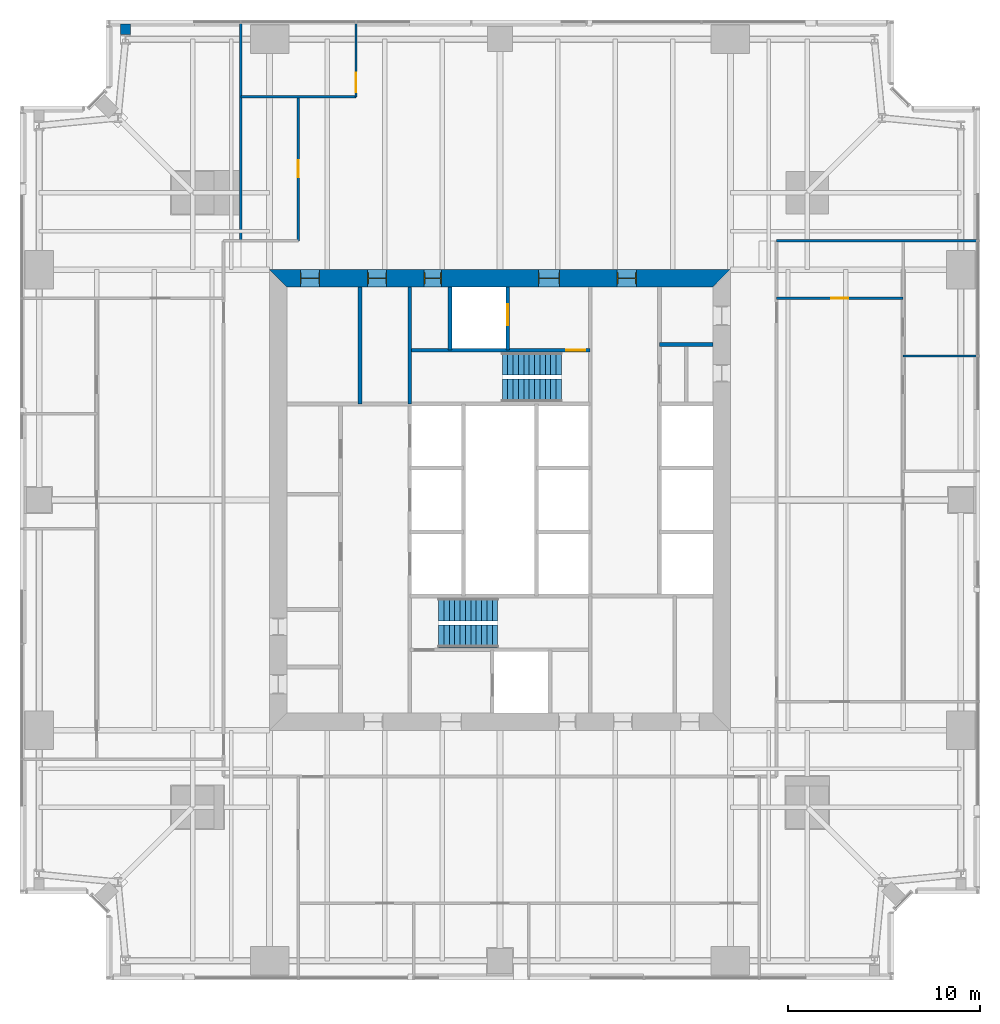
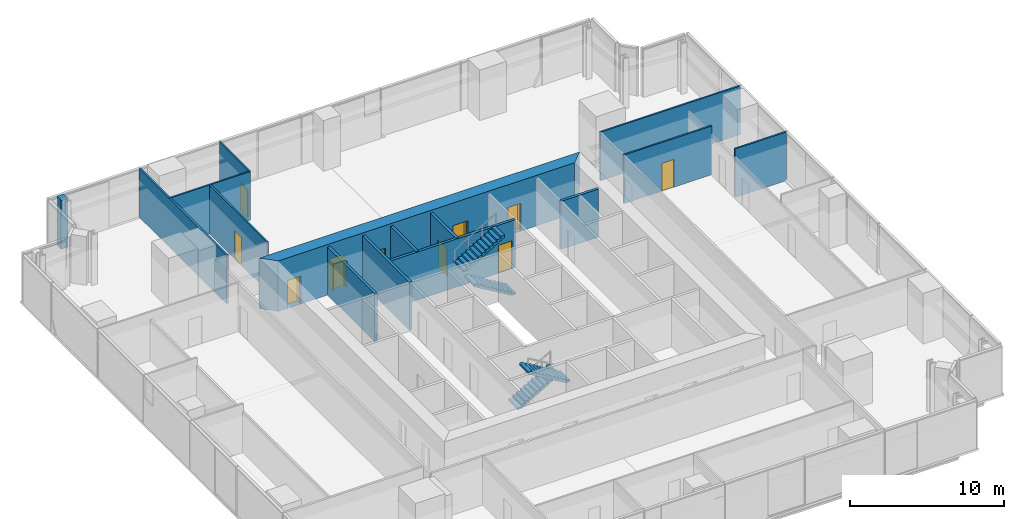
# One storey, part 11 of 13: 15 walls, 10 doors, 4 stair flights, 10 openings, 2 elements without a shape of their own.
"""IFC4 building model written with IfcOpenShell, lengths in metres."""

from ifc_helpers import new_model, si_unit, direction, frame, frame_2d, origin, place, context, subcontext, project, spatial, polyline, rectangle, outline, extrude, material, layer, layer_set, type_object, element, fill, aggregate, save


model = new_model("IFC4")

# Units and contexts
model_context = context("Model", 3, precision=1e-05, world=origin(), true_north=direction((0.0, 1.0)))
body_context = subcontext(model_context, "Body", "Model", "MODEL_VIEW")
ifc_project = project(units=[si_unit("LENGTHUNIT", "METRE"), si_unit("AREAUNIT", "SQUARE_METRE"), si_unit("VOLUMEUNIT", "CUBIC_METRE"), si_unit("PLANEANGLEUNIT", "RADIAN"), si_unit("MASSUNIT", "GRAM", prefix="KILO")], contexts=[model_context])

# Site, building, storey
site_placement = place(None, origin())
site = spatial("IfcSite", under=ifc_project, at=site_placement, CompositionType="ELEMENT")
building_placement = place(site_placement, origin())
building = spatial("IfcBuilding", under=site, at=building_placement, Name="Fenwick Lantern Interchange", CompositionType="ELEMENT")
storey_placement = place(building_placement, frame((0.0, 0.0, 142.39990234375)))
storey = spatial("IfcBuildingStorey", under=building, at=storey_placement, Name="L33", CompositionType="ELEMENT", Elevation=142.39990234375)

# Wall
ifc_material_1 = material(Name="Fire-rated gypsum board encasement on steel studs, 2 hour", Category="steel")
ifc_layer_1 = layer(ifc_material_1, 0.52392578125)
ifc_layer_set_1 = layer_set([ifc_layer_1], Name="COLUMN PIER 524")
wall_type_1 = type_object("IfcWallType", Name="COLUMN PIER 524", PredefinedType="PARTITIONING", material=ifc_layer_set_1)
wall_1_placement = place(storey_placement, frame((5.5, 49.800048828125, 0.0), z_axis=(0.0, 0.0, 1.0), x_axis=(0.0, -1.0, 0.0)))
element("IfcWall", 1, at=wall_1_placement, inside=storey, type_object=wall_type_1, Name="L33/W/PIER/CN5", PredefinedType="PARTITIONING", context=body_context, shape_type="SweptSolid", body=[
    extrude(rectangle(XDim=0.5625, YDim=0.52392578125, at=frame_2d((0.28125, 0.0))), origin(), (0.0, 0.0, 1.0), 3.85009765625),
])

# Wall, opening, door
ifc_material_2 = material(Name="Concrete masonry ASTM C90 Grade N", Category="masonry")
ifc_layer_2 = layer(ifc_material_2, 0.199951171875)
ifc_layer_set_2 = layer_set([ifc_layer_2], Name="Concrete masonry ASTM C90 Grade N")
wall_type_2 = type_object("IfcWallType", Name="CORE PARTITION 200", PredefinedType="PARTITIONING", material=ifc_layer_set_2)
wall_2_placement = place(storey_placement, frame((25.39990234375, 36.10009765625, 0.0), z_axis=(0.0, 0.0, 1.0), x_axis=(0.0, -1.0, 0.0)))
wall_2 = element("IfcWall", 2, at=wall_2_placement, inside=storey, type_object=wall_type_2, Name="L33/W/COREN/h1", PredefinedType="PARTITIONING", context=body_context, shape_type="SweptSolid", body=[
    extrude(rectangle(XDim=3.300048828125, YDim=0.199951171875, at=frame_2d((1.64990234375, 0.0))), origin(), (0.0, 0.0, 1.0), 3.800048828125),
])
opening_1_placement = place(wall_2_placement, frame((0.89990234375, 0.0, 0.0)))
opening_1 = element("IfcOpeningElement", 3, at=opening_1_placement, cuts=wall_2, Name="Opening LD-FL2", PredefinedType="OPENING", context=body_context, shape_type="SweptSolid", body=[
    extrude(rectangle(XDim=1.10009765625, YDim=2.199951171875, at=frame_2d((0.550048828125, 1.10009765625))), frame((0.0, 0.10986328125, 0.0), z_axis=(0.0, -1.0, 0.0), x_axis=(1.0, 0.0, 0.0)), (0.0, 0.0, 1.0), 0.219970703125),
])
ifc_material_3 = material(Name="Steel door and frame", Category="steel")
door_type_1 = type_object("IfcDoorType", Name="LIFT LANDING DOOR 1100 X 2200", OperationType="DOUBLE_DOOR_SLIDING", PredefinedType="DOOR", material=ifc_material_3)
door_1_placement = place(opening_1_placement, origin())
door_1 = element("IfcDoor", 4, at=door_1_placement, inside=storey, type_object=door_type_1, Name="Lift landing door FL2", OperationType="DOUBLE_DOOR_SLIDING", OverallHeight=2.199951171875, OverallWidth=1.10009765625, PredefinedType="DOOR", context=body_context, shape_type="SweptSolid", body=[
    extrude(rectangle(XDim=1.10009765625, YDim=2.199951171875, at=frame_2d((0.550048828125, 1.10009765625))), frame((0.0, 0.02490234375, 0.0), z_axis=(0.0, -1.0, 0.0), x_axis=(1.0, 0.0, 0.0)), (0.0, 0.0, 1.0), 0.050048828125),
])
fill(opening_1, door_1)

# Walls
wall_3_placement = place(storey_placement, frame((22.39990234375, 36.10009765625, 0.0), z_axis=(0.0, 0.0, 1.0), x_axis=(0.0, -1.0, 0.0)))
element("IfcWall", 5, at=wall_3_placement, inside=storey, type_object=wall_type_2, Name="L33/W/COREN/h2", PredefinedType="PARTITIONING", context=body_context, shape_type="SweptSolid", body=[
    extrude(rectangle(XDim=3.300048828125, YDim=0.199951171875, at=frame_2d((1.64990234375, 0.0))), origin(), (0.0, 0.0, 1.0), 3.800048828125),
])
wall_4_placement = place(storey_placement, frame((17.699951171875, 36.10009765625, 0.0), z_axis=(0.0, 0.0, 1.0), x_axis=(0.0, -1.0, 0.0)))
element("IfcWall", 6, at=wall_4_placement, inside=storey, type_object=wall_type_2, Name="L33/W/COREN/i2", PredefinedType="PARTITIONING", context=body_context, shape_type="SweptSolid", body=[
    extrude(rectangle(XDim=6.10009765625, YDim=0.199951171875, at=frame_2d((3.050048828125, 0.0))), origin(), (0.0, 0.0, 1.0), 3.800048828125),
])
wall_5_placement = place(storey_placement, frame((36.10009765625, 33.10009765625, 0.0), z_axis=(0.0, 0.0, 1.0), x_axis=(-1.0, 0.0, 0.0)))
element("IfcWall", 7, at=wall_5_placement, inside=storey, type_object=wall_type_2, Name="L33/W/COREN/p1", PredefinedType="PARTITIONING", context=body_context, shape_type="SweptSolid", body=[
    extrude(rectangle(XDim=2.800048828125, YDim=0.199951171875, at=frame_2d((1.39990234375, 0.0))), origin(), (0.0, 0.0, 1.0), 3.800048828125),
])

# Wall, openings, doors
ifc_material_4 = material(Name="Concrete f'c 70 MPa", Category="concrete")
ifc_layer_3 = layer(ifc_material_4, 0.89990234375)
ifc_layer_set_3 = layer_set([ifc_layer_3], Name="CORE WALL 900")
wall_type_3 = type_object("IfcWallType", Name="CORE WALL 900", PredefinedType="SHEAR", material=ifc_layer_set_3)
wall_6_placement = place(storey_placement, frame((37.0, 36.550048828125, 0.0), z_axis=(0.0, 0.0, 1.0), x_axis=(-1.0, 0.0, 0.0)))
wall_6 = element("IfcWall", 8, at=wall_6_placement, inside=storey, type_object=wall_type_3, Name="L33/CORE/N", PredefinedType="SHEAR", context=body_context, shape_type="SweptSolid", body=[
    extrude(outline(polyline([(0.0, -0.449951171875), (24.0, -0.449951171875), (23.10009765625, 0.449951171875), (0.89990234375, 0.449951171875), (0.0, -0.449951171875)])), origin(), (0.0, 0.0, 1.0), 4.0),
])
opening_2_placement = place(wall_6_placement, frame((4.89990234375, 0.0, 0.0)))
opening_2 = element("IfcOpeningElement", 9, at=opening_2_placement, cuts=wall_6, Name="Opening L33-D011", PredefinedType="OPENING", context=body_context, shape_type="SweptSolid", body=[
    extrude(rectangle(XDim=1.0, YDim=2.199951171875, at=frame_2d((0.5, 1.10009765625))), frame((0.0, 0.4599609375, 0.0), z_axis=(0.0, -1.0, 0.0), x_axis=(1.0, 0.0, 0.0)), (0.0, 0.0, 1.0), 0.919921875),
])
opening_3_placement = place(wall_6_placement, frame((8.89990234375, 0.0, 0.0)))
opening_3 = element("IfcOpeningElement", 10, at=opening_3_placement, cuts=wall_6, Name="Opening L33-D012", PredefinedType="OPENING", context=body_context, shape_type="SweptSolid", body=[
    extrude(rectangle(XDim=1.10009765625, YDim=2.199951171875, at=frame_2d((0.550048828125, 1.10009765625))), frame((0.0, 0.4599609375, 0.0), z_axis=(0.0, -1.0, 0.0), x_axis=(1.0, 0.0, 0.0)), (0.0, 0.0, 1.0), 0.919921875),
])
opening_4_placement = place(wall_6_placement, frame((15.050048828125, 0.0, 0.0)))
opening_4 = element("IfcOpeningElement", 11, at=opening_4_placement, cuts=wall_6, Name="Opening L33-D014", PredefinedType="OPENING", context=body_context, shape_type="SweptSolid", body=[
    extrude(rectangle(XDim=0.89990234375, YDim=2.199951171875, at=frame_2d((0.449951171875, 1.10009765625))), frame((0.0, 0.4599609375, 0.0), z_axis=(0.0, -1.0, 0.0), x_axis=(1.0, 0.0, 0.0)), (0.0, 0.0, 1.0), 0.919921875),
])
opening_5_placement = place(wall_6_placement, frame((17.89990234375, 0.0, 0.0)))
opening_5 = element("IfcOpeningElement", 12, at=opening_5_placement, cuts=wall_6, Name="Opening L33-D015", PredefinedType="OPENING", context=body_context, shape_type="SweptSolid", body=[
    extrude(rectangle(XDim=1.0, YDim=2.199951171875, at=frame_2d((0.5, 1.10009765625))), frame((0.0, 0.4599609375, 0.0), z_axis=(0.0, -1.0, 0.0), x_axis=(1.0, 0.0, 0.0)), (0.0, 0.0, 1.0), 0.919921875),
])
opening_6_placement = place(wall_6_placement, frame((21.39990234375, 0.0, 0.0)))
opening_6 = element("IfcOpeningElement", 13, at=opening_6_placement, cuts=wall_6, Name="Opening L33-D016", PredefinedType="OPENING", context=body_context, shape_type="SweptSolid", body=[
    extrude(rectangle(XDim=1.0, YDim=2.199951171875, at=frame_2d((0.5, 1.10009765625))), frame((0.0, 0.4599609375, 0.0), z_axis=(0.0, -1.0, 0.0), x_axis=(1.0, 0.0, 0.0)), (0.0, 0.0, 1.0), 0.919921875),
])
door_type_2 = type_object("IfcDoorType", Name="CORE LOBBY DOOR 1000 X 2200", OperationType="SINGLE_SWING_LEFT", PredefinedType="DOOR", material=ifc_material_3)
door_2_placement = place(opening_2_placement, origin())
door_2 = element("IfcDoor", 14, at=door_2_placement, inside=storey, type_object=door_type_2, Name="Core lobby door", OperationType="SINGLE_SWING_LEFT", OverallHeight=2.199951171875, OverallWidth=1.0, PredefinedType="DOOR", context=body_context, shape_type="SweptSolid", body=[
    extrude(rectangle(XDim=1.0, YDim=2.199951171875, at=frame_2d((0.5, 1.10009765625))), frame((0.0, 0.02490234375, 0.0), z_axis=(0.0, -1.0, 0.0), x_axis=(1.0, 0.0, 0.0)), (0.0, 0.0, 1.0), 0.050048828125),
    extrude(outline(polyline([(0.0, 0.0), (0.0400390625, 0.0), (0.0400390625, 2.159912109375), (0.9599609375, 2.159912109375), (0.9599609375, 0.0), (1.0, 0.0), (1.0, 2.199951171875), (0.0, 2.199951171875), (0.0, 0.0)])), frame((0.0, 0.300048828125, 0.0), z_axis=(0.0, -1.0, 0.0), x_axis=(1.0, 0.0, 0.0)), (0.0, 0.0, 1.0), 0.60009765625),
])
fill(opening_2, door_2)
door_type_3 = type_object("IfcDoorType", Name="FIRE LOBBY DOOR 1100 X 2200", OperationType="SINGLE_SWING_LEFT", PredefinedType="DOOR", material=ifc_material_3)
door_3_placement = place(opening_3_placement, origin())
door_3 = element("IfcDoor", 15, at=door_3_placement, inside=storey, type_object=door_type_3, Name="Fire lobby door", OperationType="SINGLE_SWING_LEFT", OverallHeight=2.199951171875, OverallWidth=1.10009765625, PredefinedType="DOOR", context=body_context, shape_type="SweptSolid", body=[
    extrude(rectangle(XDim=1.10009765625, YDim=2.199951171875, at=frame_2d((0.550048828125, 1.10009765625))), frame((0.0, 0.02490234375, 0.0), z_axis=(0.0, -1.0, 0.0), x_axis=(1.0, 0.0, 0.0)), (0.0, 0.0, 1.0), 0.050048828125),
    extrude(outline(polyline([(0.0, 0.0), (0.0400390625, 0.0), (0.0400390625, 2.159912109375), (1.06005859375, 2.159912109375), (1.06005859375, 0.0), (1.10009765625, 0.0), (1.10009765625, 2.199951171875), (0.0, 2.199951171875), (0.0, 0.0)])), frame((0.0, 0.300048828125, 0.0), z_axis=(0.0, -1.0, 0.0), x_axis=(1.0, 0.0, 0.0)), (0.0, 0.0, 1.0), 0.60009765625),
])
fill(opening_3, door_3)
door_type_4 = type_object("IfcDoorType", Name="SERVICE DOOR 900 X 2200", OperationType="SINGLE_SWING_LEFT", PredefinedType="DOOR", material=ifc_material_3)
door_4_placement = place(opening_4_placement, origin())
door_4 = element("IfcDoor", 16, at=door_4_placement, inside=storey, type_object=door_type_4, Name="Service door", OperationType="SINGLE_SWING_LEFT", OverallHeight=2.199951171875, OverallWidth=0.89990234375, PredefinedType="DOOR", context=body_context, shape_type="SweptSolid", body=[
    extrude(rectangle(XDim=0.89990234375, YDim=2.199951171875, at=frame_2d((0.449951171875, 1.10009765625))), frame((0.0, 0.02490234375, 0.0), z_axis=(0.0, -1.0, 0.0), x_axis=(1.0, 0.0, 0.0)), (0.0, 0.0, 1.0), 0.050048828125),
    extrude(outline(polyline([(0.0, 0.0), (0.0400390625, 0.0), (0.0400390625, 2.159912109375), (0.85986328125, 2.159912109375), (0.85986328125, 0.0), (0.89990234375, 0.0), (0.89990234375, 2.199951171875), (0.0, 2.199951171875), (0.0, 0.0)])), frame((0.0, 0.300048828125, 0.0), z_axis=(0.0, -1.0, 0.0), x_axis=(1.0, 0.0, 0.0)), (0.0, 0.0, 1.0), 0.60009765625),
])
fill(opening_4, door_4)
ifc_material_5 = material(Name="Hardwood door and steel frame", Category="steel")
door_type_5 = type_object("IfcDoorType", Name="WC DOOR 1000 X 2200", OperationType="SINGLE_SWING_LEFT", PredefinedType="DOOR", material=ifc_material_5)
door_5_placement = place(opening_5_placement, origin())
door_5 = element("IfcDoor", 17, at=door_5_placement, inside=storey, type_object=door_type_5, Name="Wc door", OperationType="SINGLE_SWING_RIGHT", OverallHeight=2.199951171875, OverallWidth=1.0, PredefinedType="DOOR", context=body_context, shape_type="SweptSolid", body=[
    extrude(rectangle(XDim=1.0, YDim=2.199951171875, at=frame_2d((0.5, 1.10009765625))), frame((0.0, 0.02490234375, 0.0), z_axis=(0.0, -1.0, 0.0), x_axis=(1.0, 0.0, 0.0)), (0.0, 0.0, 1.0), 0.050048828125),
    extrude(outline(polyline([(0.0, 0.0), (0.0400390625, 0.0), (0.0400390625, 2.159912109375), (0.9599609375, 2.159912109375), (0.9599609375, 0.0), (1.0, 0.0), (1.0, 2.199951171875), (0.0, 2.199951171875), (0.0, 0.0)])), frame((0.0, 0.300048828125, 0.0), z_axis=(0.0, -1.0, 0.0), x_axis=(1.0, 0.0, 0.0)), (0.0, 0.0, 1.0), 0.60009765625),
])
fill(opening_5, door_5)
door_6_placement = place(opening_6_placement, origin())
door_6 = element("IfcDoor", 18, at=door_6_placement, inside=storey, type_object=door_type_5, Name="Wc door", OperationType="SINGLE_SWING_RIGHT", OverallHeight=2.199951171875, OverallWidth=1.0, PredefinedType="DOOR", context=body_context, shape_type="SweptSolid", body=[
    extrude(rectangle(XDim=1.0, YDim=2.199951171875, at=frame_2d((0.5, 1.10009765625))), frame((0.0, 0.02490234375, 0.0), z_axis=(0.0, -1.0, 0.0), x_axis=(1.0, 0.0, 0.0)), (0.0, 0.0, 1.0), 0.050048828125),
    extrude(outline(polyline([(0.0, 0.0), (0.0400390625, 0.0), (0.0400390625, 2.159912109375), (0.9599609375, 2.159912109375), (0.9599609375, 0.0), (1.0, 0.0), (1.0, 2.199951171875), (0.0, 2.199951171875), (0.0, 0.0)])), frame((0.0, 0.300048828125, 0.0), z_axis=(0.0, -1.0, 0.0), x_axis=(1.0, 0.0, 0.0)), (0.0, 0.0, 1.0), 0.60009765625),
])
fill(opening_6, door_6)

# Wall
ifc_material_6 = material(Name="Gypsum board on steel studs, acoustic", Category="steel")
ifc_layer_4 = layer(ifc_material_6, 0.125)
ifc_layer_set_4 = layer_set([ifc_layer_4], Name="OFFICE PARTITION 125")
wall_type_4 = type_object("IfcWallType", Name="OFFICE PARTITION 125", PredefinedType="PARTITIONING", material=ifc_layer_set_4)
wall_7_placement = place(storey_placement, frame((49.85009765625, 32.5, 0.0), z_axis=(0.0, 0.0, 1.0), x_axis=(-1.0, 0.0, 0.0)))
element("IfcWall", 19, at=wall_7_placement, inside=storey, type_object=wall_type_4, Name="L33/W/OFF/E/X325-1", PredefinedType="PARTITIONING", context=body_context, shape_type="SweptSolid", body=[
    extrude(rectangle(XDim=3.85009765625, YDim=0.125, at=frame_2d((1.925048828125, 0.0))), origin(), (0.0, 0.0, 1.0), 3.85009765625),
])

# Wall, opening, door
wall_8_placement = place(storey_placement, frame((46.0, 35.5, 0.0), z_axis=(0.0, 0.0, 1.0), x_axis=(-1.0, 0.0, 0.0)))
wall_8 = element("IfcWall", 20, at=wall_8_placement, inside=storey, type_object=wall_type_4, Name="L33/W/OFF/E/X355-1", PredefinedType="PARTITIONING", context=body_context, shape_type="SweptSolid", body=[
    extrude(rectangle(XDim=6.60009765625, YDim=0.125, at=frame_2d((3.300048828125, 0.0))), origin(), (0.0, 0.0, 1.0), 3.85009765625),
])
opening_7_placement = place(wall_8_placement, frame((2.85009765625, 0.0, 0.0)))
opening_7 = element("IfcOpeningElement", 21, at=opening_7_placement, cuts=wall_8, Name="Opening L33-D032", PredefinedType="OPENING", context=body_context, shape_type="SweptSolid", body=[
    extrude(rectangle(XDim=0.89990234375, YDim=2.199951171875, at=frame_2d((0.449951171875, 1.10009765625))), frame((0.0, 0.072509765625, 0.0), z_axis=(0.0, -1.0, 0.0), x_axis=(1.0, 0.0, 0.0)), (0.0, 0.0, 1.0), 0.14501953125),
])
door_type_6 = type_object("IfcDoorType", Name="OFFICE DOOR 900 X 2200", OperationType="SINGLE_SWING_LEFT", PredefinedType="DOOR", material=ifc_material_5)
door_7_placement = place(opening_7_placement, frame((0.89990234375, 0.0, 0.0), z_axis=(0.0, 0.0, 1.0), x_axis=(-1.0, 0.0, 0.0)))
door_7 = element("IfcDoor", 22, at=door_7_placement, inside=storey, type_object=door_type_6, Name="Office door", OperationType="SINGLE_SWING_RIGHT", OverallHeight=2.199951171875, OverallWidth=0.89990234375, PredefinedType="DOOR", context=body_context, shape_type="SweptSolid", body=[
    extrude(rectangle(XDim=0.89990234375, YDim=2.199951171875, at=frame_2d((0.449951171875, 1.10009765625))), frame((0.0, 0.02490234375, 0.0), z_axis=(0.0, -1.0, 0.0), x_axis=(1.0, 0.0, 0.0)), (0.0, 0.0, 1.0), 0.050048828125),
])
fill(opening_7, door_7)

# Wall
wall_9_placement = place(storey_placement, frame((49.85009765625, 38.5, 0.0), z_axis=(0.0, 0.0, 1.0), x_axis=(-1.0, 0.0, 0.0)))
element("IfcWall", 23, at=wall_9_placement, inside=storey, type_object=wall_type_4, Name="L33/W/OFF/N/BACK", PredefinedType="PARTITIONING", context=body_context, shape_type="SweptSolid", body=[
    extrude(rectangle(XDim=10.4501953125, YDim=0.125, at=frame_2d((5.22509765625, 0.0))), origin(), (0.0, 0.0, 1.0), 3.85009765625),
])

# Wall, opening, door
wall_10_placement = place(storey_placement, frame((17.5, 49.85009765625, 0.0), z_axis=(0.0, 0.0, 1.0), x_axis=(0.0, -1.0, 0.0)))
wall_10 = element("IfcWall", 24, at=wall_10_placement, inside=storey, type_object=wall_type_4, Name="L33/W/OFF/N/X325-1", PredefinedType="PARTITIONING", context=body_context, shape_type="SweptSolid", body=[
    extrude(rectangle(XDim=3.85009765625, YDim=0.125, at=frame_2d((1.925048828125, 0.0))), origin(), (0.0, 0.0, 1.0), 3.85009765625),
])
opening_8_placement = place(wall_10_placement, frame((2.60009765625, 0.0, 0.0)))
opening_8 = element("IfcOpeningElement", 25, at=opening_8_placement, cuts=wall_10, Name="Opening L33-D033", PredefinedType="OPENING", context=body_context, shape_type="SweptSolid", body=[
    extrude(rectangle(XDim=1.0, YDim=2.199951171875, at=frame_2d((0.5, 1.10009765625))), frame((0.0, 0.072509765625, 0.0), z_axis=(0.0, -1.0, 0.0), x_axis=(1.0, 0.0, 0.0)), (0.0, 0.0, 1.0), 0.14501953125),
])
door_type_7 = type_object("IfcDoorType", Name="MEETING ROOM DOOR 1000 X 2200", OperationType="SINGLE_SWING_LEFT", PredefinedType="DOOR", material=ifc_material_5)
door_8_placement = place(opening_8_placement, frame((1.0, 0.0, 0.0), z_axis=(0.0, 0.0, 1.0), x_axis=(-1.0, 0.0, 0.0)))
door_8 = element("IfcDoor", 26, at=door_8_placement, inside=storey, type_object=door_type_7, Name="Meeting room door", OperationType="SINGLE_SWING_LEFT", OverallHeight=2.199951171875, OverallWidth=1.0, PredefinedType="DOOR", context=body_context, shape_type="SweptSolid", body=[
    extrude(rectangle(XDim=1.0, YDim=2.199951171875, at=frame_2d((0.5, 1.10009765625))), frame((0.0, 0.02490234375, 0.0), z_axis=(0.0, -1.0, 0.0), x_axis=(1.0, 0.0, 0.0)), (0.0, 0.0, 1.0), 0.050048828125),
])
fill(opening_8, door_8)

wall_11_placement = place(storey_placement, frame((14.5, 46.0, 0.0), z_axis=(0.0, 0.0, 1.0), x_axis=(0.0, -1.0, 0.0)))
wall_11 = element("IfcWall", 27, at=wall_11_placement, inside=storey, type_object=wall_type_4, Name="L33/W/OFF/N/X355-1", PredefinedType="PARTITIONING", context=body_context, shape_type="SweptSolid", body=[
    extrude(rectangle(XDim=7.5, YDim=0.125, at=frame_2d((3.75, 0.0))), origin(), (0.0, 0.0, 1.0), 3.85009765625),
])
opening_9_placement = place(wall_11_placement, frame((3.300048828125, 0.0, 0.0)))
opening_9 = element("IfcOpeningElement", 28, at=opening_9_placement, cuts=wall_11, Name="Opening L33-D034", PredefinedType="OPENING", context=body_context, shape_type="SweptSolid", body=[
    extrude(rectangle(XDim=0.89990234375, YDim=2.199951171875, at=frame_2d((0.449951171875, 1.10009765625))), frame((0.0, 0.072509765625, 0.0), z_axis=(0.0, -1.0, 0.0), x_axis=(1.0, 0.0, 0.0)), (0.0, 0.0, 1.0), 0.14501953125),
])
door_9_placement = place(opening_9_placement, frame((0.89990234375, 0.0, 0.0), z_axis=(0.0, 0.0, 1.0), x_axis=(-1.0, 0.0, 0.0)))
door_9 = element("IfcDoor", 29, at=door_9_placement, inside=storey, type_object=door_type_6, Name="Office door", OperationType="SINGLE_SWING_RIGHT", OverallHeight=2.199951171875, OverallWidth=0.89990234375, PredefinedType="DOOR", context=body_context, shape_type="SweptSolid", body=[
    extrude(rectangle(XDim=0.89990234375, YDim=2.199951171875, at=frame_2d((0.449951171875, 1.10009765625))), frame((0.0, 0.02490234375, 0.0), z_axis=(0.0, -1.0, 0.0), x_axis=(1.0, 0.0, 0.0)), (0.0, 0.0, 1.0), 0.050048828125),
])
fill(opening_9, door_9)

# Wall
wall_12_placement = place(storey_placement, frame((17.5, 46.0, 0.0), z_axis=(0.0, 0.0, 1.0), x_axis=(-1.0, 0.0, 0.0)))
element("IfcWall", 30, at=wall_12_placement, inside=storey, type_object=wall_type_4, Name="L33/W/OFF/N/Y40-1", PredefinedType="PARTITIONING", context=body_context, shape_type="SweptSolid", body=[
    extrude(rectangle(XDim=6.0, YDim=0.125, at=frame_2d((3.0, 0.0))), origin(), (0.0, 0.0, 1.0), 3.85009765625),
])

# Wall, opening, door
ifc_material_7 = material(Name="Concrete f'c 45 MPa", Category="concrete")
ifc_layer_5 = layer(ifc_material_7, 0.199951171875)
ifc_layer_set_5 = layer_set([ifc_layer_5], Name="STAIR CORE WALL 200")
wall_type_5 = type_object("IfcWallType", Name="STAIR CORE WALL 200", PredefinedType="SOLIDWALL", material=ifc_layer_set_5)
wall_13_placement = place(storey_placement, frame((29.699951171875, 32.800048828125, 0.0), z_axis=(0.0, 0.0, 1.0), x_axis=(-1.0, 0.0, 0.0)))
wall_13 = element("IfcWall", 31, at=wall_13_placement, inside=storey, type_object=wall_type_5, Name="L33/W/COREN/g1", PredefinedType="SOLIDWALL", context=body_context, shape_type="SweptSolid", body=[
    extrude(rectangle(XDim=9.39990234375, YDim=0.199951171875, at=frame_2d((4.699951171875, 0.0))), origin(), (0.0, 0.0, 1.0), 3.800048828125),
])
opening_10_placement = place(wall_13_placement, frame((0.25, 0.0, 0.0)))
opening_10 = element("IfcOpeningElement", 32, at=opening_10_placement, cuts=wall_13, Name="Opening L33-D013", PredefinedType="OPENING", context=body_context, shape_type="SweptSolid", body=[
    extrude(rectangle(XDim=1.0, YDim=2.199951171875, at=frame_2d((0.5, 1.10009765625))), frame((0.0, 0.10986328125, 0.0), z_axis=(0.0, -1.0, 0.0), x_axis=(1.0, 0.0, 0.0)), (0.0, 0.0, 1.0), 0.219970703125),
])
door_type_8 = type_object("IfcDoorType", Name="STAIR DOOR 1000 X 2200", OperationType="SINGLE_SWING_LEFT", PredefinedType="DOOR", material=ifc_material_3)
door_10_placement = place(opening_10_placement, origin())
door_10 = element("IfcDoor", 33, at=door_10_placement, inside=storey, type_object=door_type_8, Name="Stair door", OperationType="SINGLE_SWING_LEFT", OverallHeight=2.199951171875, OverallWidth=1.0, PredefinedType="DOOR", context=body_context, shape_type="SweptSolid", body=[
    extrude(rectangle(XDim=1.0, YDim=2.199951171875, at=frame_2d((0.5, 1.10009765625))), frame((0.0, 0.02490234375, 0.0), z_axis=(0.0, -1.0, 0.0), x_axis=(1.0, 0.0, 0.0)), (0.0, 0.0, 1.0), 0.050048828125),
])
fill(opening_10, door_10)

# Walls
wall_14_placement = place(storey_placement, frame((20.300048828125, 36.10009765625, 0.0), z_axis=(0.0, 0.0, 1.0), x_axis=(0.0, -1.0, 0.0)))
element("IfcWall", 34, at=wall_14_placement, inside=storey, type_object=wall_type_5, Name="L33/W/COREN/i1", PredefinedType="SOLIDWALL", context=body_context, shape_type="SweptSolid", body=[
    extrude(rectangle(XDim=6.10009765625, YDim=0.199951171875, at=frame_2d((3.050048828125, 0.0))), origin(), (0.0, 0.0, 1.0), 3.800048828125),
])
ifc_material_8 = material(Name="Gypsum board on steel studs, 1 hour acoustic", Category="steel")
ifc_layer_6 = layer(ifc_material_8, 0.14990234375)
ifc_layer_set_6 = layer_set([ifc_layer_6], Name="TENANT WALL 150")
wall_type_6 = type_object("IfcWallType", Name="TENANT WALL 150", PredefinedType="PARTITIONING", material=ifc_layer_set_6)
wall_15_placement = place(storey_placement, frame((11.5, 49.85009765625, 0.0), z_axis=(0.0, 0.0, 1.0), x_axis=(0.0, -1.0, 0.0)))
element("IfcWall", 35, at=wall_15_placement, inside=storey, type_object=wall_type_6, Name="L33/W/OFF/W/BACK", PredefinedType="PARTITIONING", context=body_context, shape_type="SweptSolid", body=[
    extrude(rectangle(XDim=11.35009765625, YDim=0.14990234375, at=frame_2d((5.675048828125, 0.0))), origin(), (0.0, 0.0, 1.0), 3.85009765625),
])

# Stair, stair flights
ifc_material_9 = material(Name="Precast concrete f'c 35 MPa", Category="concrete")
stair_type = type_object("IfcStairType", Name="EXIT STAIR 1200", PredefinedType="HALF_TURN_STAIR", material=ifc_material_9)
stair_1_placement = place(storey_placement, origin())
stair_1 = element("IfcStair", 36, at=stair_1_placement, inside=storey, type_object=stair_type, Name="Exit stair ST1", PredefinedType="HALF_TURN_STAIR")
stair_flight_type = type_object("IfcStairFlightType", Name="STAIR FLIGHT 1200", PredefinedType="STRAIGHT", material=ifc_material_9)
stair_flight_1_placement = place(storey_placement, frame((21.800048828125, 19.300048828125, 0.0), z_axis=(0.0, 0.0, 1.0), x_axis=(1.0, 0.0, 0.0)))
stair_flight_1 = element("IfcStairFlight", 37, at=stair_flight_1_placement, type_object=stair_flight_type, Name="ST1 flight 1", NumberOfRisers=12, NumberOfTreads=11, PredefinedType="STRAIGHT", RiserHeight=0.166666667, TreadLength=0.28, context=body_context, shape_type="SweptSolid", body=[
    extrude(outline(polyline([(0.0, 0.0), (0.0, 0.166748046875), (0.280029296875, 0.166748046875), (0.280029296875, 0.333251953125), (0.56005859375, 0.333251953125), (0.56005859375, 0.5), (0.840087890625, 0.5), (0.840087890625, 0.666748046875), (1.1201171875, 0.666748046875), (1.1201171875, 0.833251953125), (1.39990234375, 0.833251953125), (1.39990234375, 1.0), (1.679931640625, 1.0), (1.679931640625, 1.166748046875), (1.9599609375, 1.166748046875), (1.9599609375, 1.333251953125), (2.239990234375, 1.333251953125), (2.239990234375, 1.5), (2.52001953125, 1.5), (2.52001953125, 1.666748046875), (2.800048828125, 1.666748046875), (2.800048828125, 1.833251953125), (3.080078125, 1.833251953125), (3.080078125, 2.0), (3.080078125, 1.658935546875), (0.29296875, 0.0), (0.0, 0.0)])), frame((0.0, 0.60009765625, 0.0), z_axis=(0.0, -1.0, 0.0), x_axis=(1.0, 0.0, 0.0)), (0.0, 0.0, 1.0), 1.199951171875),
])
stair_flight_2_placement = place(storey_placement, frame((24.8798828125, 17.89990234375, 2.0), z_axis=(0.0, 0.0, 1.0), x_axis=(-1.0, 0.0, 0.0)))
stair_flight_2 = element("IfcStairFlight", 38, at=stair_flight_2_placement, type_object=stair_flight_type, Name="ST1 flight 2", NumberOfRisers=12, NumberOfTreads=11, PredefinedType="STRAIGHT", RiserHeight=0.166666667, TreadLength=0.28, context=body_context, shape_type="SweptSolid", body=[
    extrude(outline(polyline([(0.0, 0.0), (0.0, 0.166748046875), (0.280029296875, 0.166748046875), (0.280029296875, 0.333251953125), (0.56005859375, 0.333251953125), (0.56005859375, 0.5), (0.840087890625, 0.5), (0.840087890625, 0.666748046875), (1.1201171875, 0.666748046875), (1.1201171875, 0.833251953125), (1.39990234375, 0.833251953125), (1.39990234375, 1.0), (1.679931640625, 1.0), (1.679931640625, 1.166748046875), (1.9599609375, 1.166748046875), (1.9599609375, 1.333251953125), (2.239990234375, 1.333251953125), (2.239990234375, 1.5), (2.52001953125, 1.5), (2.52001953125, 1.666748046875), (2.800048828125, 1.666748046875), (2.800048828125, 1.833251953125), (3.080078125, 1.833251953125), (3.080078125, 2.0), (3.080078125, 1.658935546875), (0.29296875, 0.0), (0.0, 0.0)])), frame((0.0, 0.60009765625, 0.0), z_axis=(0.0, -1.0, 0.0), x_axis=(1.0, 0.0, 0.0)), (0.0, 0.0, 1.0), 1.199951171875),
])
aggregate(stair_1, [stair_flight_1, stair_flight_2])

stair_2_placement = place(storey_placement, origin())
stair_2 = element("IfcStair", 39, at=stair_2_placement, inside=storey, type_object=stair_type, Name="Exit stair ST2", PredefinedType="HALF_TURN_STAIR")
stair_flight_3_placement = place(storey_placement, frame((28.199951171875, 30.699951171875, 0.0), z_axis=(0.0, 0.0, 1.0), x_axis=(-1.0, 0.0, 0.0)))
stair_flight_3 = element("IfcStairFlight", 40, at=stair_flight_3_placement, type_object=stair_flight_type, Name="ST2 flight 1", NumberOfRisers=12, NumberOfTreads=11, PredefinedType="STRAIGHT", RiserHeight=0.166666667, TreadLength=0.28, context=body_context, shape_type="SweptSolid", body=[
    extrude(outline(polyline([(0.0, 0.0), (0.0, 0.166748046875), (0.280029296875, 0.166748046875), (0.280029296875, 0.333251953125), (0.56005859375, 0.333251953125), (0.56005859375, 0.5), (0.840087890625, 0.5), (0.840087890625, 0.666748046875), (1.1201171875, 0.666748046875), (1.1201171875, 0.833251953125), (1.39990234375, 0.833251953125), (1.39990234375, 1.0), (1.679931640625, 1.0), (1.679931640625, 1.166748046875), (1.9599609375, 1.166748046875), (1.9599609375, 1.333251953125), (2.239990234375, 1.333251953125), (2.239990234375, 1.5), (2.52001953125, 1.5), (2.52001953125, 1.666748046875), (2.800048828125, 1.666748046875), (2.800048828125, 1.833251953125), (3.080078125, 1.833251953125), (3.080078125, 2.0), (3.080078125, 1.658935546875), (0.29296875, 0.0), (0.0, 0.0)])), frame((0.0, 0.60009765625, 0.0), z_axis=(0.0, -1.0, 0.0), x_axis=(1.0, 0.0, 0.0)), (0.0, 0.0, 1.0), 1.199951171875),
])
stair_flight_4_placement = place(storey_placement, frame((25.1201171875, 32.10009765625, 2.0), z_axis=(0.0, 0.0, 1.0), x_axis=(1.0, 0.0, 0.0)))
stair_flight_4 = element("IfcStairFlight", 41, at=stair_flight_4_placement, type_object=stair_flight_type, Name="ST2 flight 2", NumberOfRisers=12, NumberOfTreads=11, PredefinedType="STRAIGHT", RiserHeight=0.166666667, TreadLength=0.28, context=body_context, shape_type="SweptSolid", body=[
    extrude(outline(polyline([(0.0, 0.0), (0.0, 0.166748046875), (0.280029296875, 0.166748046875), (0.280029296875, 0.333251953125), (0.56005859375, 0.333251953125), (0.56005859375, 0.5), (0.840087890625, 0.5), (0.840087890625, 0.666748046875), (1.1201171875, 0.666748046875), (1.1201171875, 0.833251953125), (1.39990234375, 0.833251953125), (1.39990234375, 1.0), (1.679931640625, 1.0), (1.679931640625, 1.166748046875), (1.9599609375, 1.166748046875), (1.9599609375, 1.333251953125), (2.239990234375, 1.333251953125), (2.239990234375, 1.5), (2.52001953125, 1.5), (2.52001953125, 1.666748046875), (2.800048828125, 1.666748046875), (2.800048828125, 1.833251953125), (3.080078125, 1.833251953125), (3.080078125, 2.0), (3.080078125, 1.658935546875), (0.29296875, 0.0), (0.0, 0.0)])), frame((0.0, 0.60009765625, 0.0), z_axis=(0.0, -1.0, 0.0), x_axis=(1.0, 0.0, 0.0)), (0.0, 0.0, 1.0), 1.199951171875),
])
aggregate(stair_2, [stair_flight_3, stair_flight_4])

save(model, "model.ifc")
